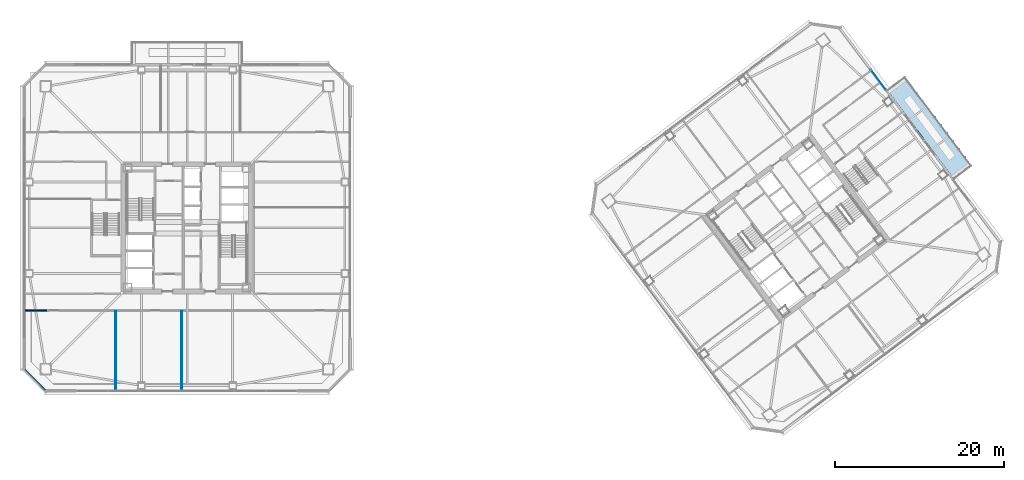
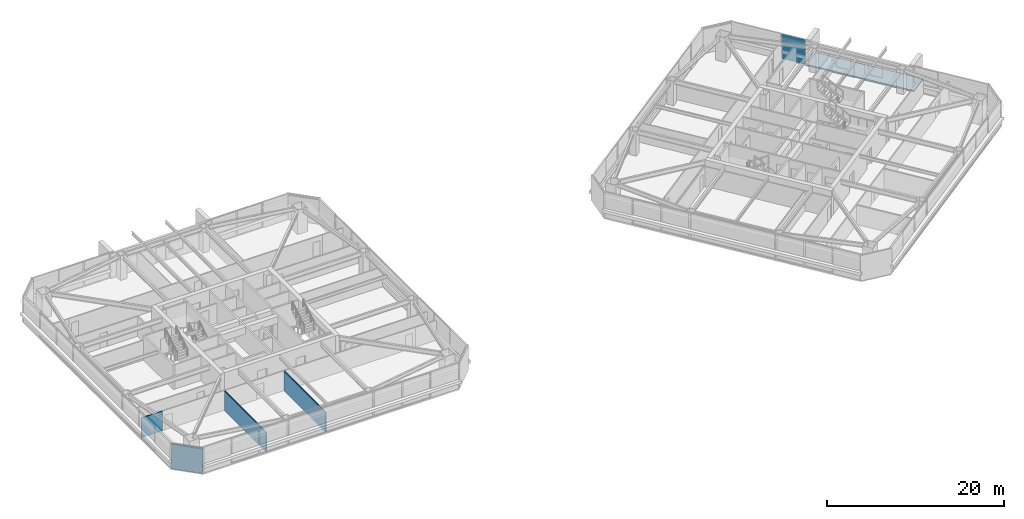
# One storey, part 33 of 44: 4 walls, 1 plate, 1 slab, 1 element without a shape of its own.
"""IFC4 building model written with IfcOpenShell, lengths in metres."""

from ifc_helpers import new_model, si_unit, direction, frame, frame_2d, origin, origin_2d, place, context, subcontext, project, spatial, polyline, rectangle, outline, extrude, material, layer, layer_set, type_object, element, aggregate, save


model = new_model("IFC4")

# Units and contexts
model_context = context("Model", 3, precision=1e-05, world=origin(), true_north=direction((0.0, 1.0)))
body_context = subcontext(model_context, "Body", "Model", "MODEL_VIEW")
ifc_project = project(units=[si_unit("LENGTHUNIT", "METRE"), si_unit("AREAUNIT", "SQUARE_METRE"), si_unit("VOLUMEUNIT", "CUBIC_METRE"), si_unit("PLANEANGLEUNIT", "RADIAN"), si_unit("MASSUNIT", "GRAM", prefix="KILO")], contexts=[model_context])

# Site, building, storey
site_placement = place(None, origin())
site = spatial("IfcSite", under=ifc_project, at=site_placement, CompositionType="ELEMENT")
building_placement = place(site_placement, origin())
building = spatial("IfcBuilding", under=site, at=building_placement, Name="Tashvorn Skyway Center", CompositionType="ELEMENT")
storey_placement = place(building_placement, frame((0.0, 0.0, 149.89990234375)))
storey = spatial("IfcBuildingStorey", under=building, at=storey_placement, Name="L40", CompositionType="ELEMENT", Elevation=149.89990234375)

# Curtain wall, plate
ifc_material_1 = material(Name="Thermally broken bronze-anodized aluminium 6063-T6", Category="aluminium")
curtain_wall_type = type_object("IfcCurtainWallType", Name="CW-CW-Z3", PredefinedType="NOTDEFINED", material=ifc_material_1)
curtain_wall_placement = place(storey_placement, origin())
curtain_wall = element("IfcCurtainWall", 1, at=curtain_wall_placement, inside=storey, type_object=curtain_wall_type, Name="Tower 2 L40 East Curtain Wall L Glazing Group 1", PredefinedType="NOTDEFINED")
ifc_material_2 = material(Name="Low-E solar-control double insulating safety glass", Category="glass")
ifc_layer_1 = layer(ifc_material_2, 0.0400390625)
ifc_layer_set_1 = layer_set([ifc_layer_1], Name="Low-E solar-control double insulating safety glass")
plate_type = type_object("IfcPlateType", Name="CWP-CW-Z3", PredefinedType="CURTAIN_PANEL", material=ifc_layer_set_1)
plate_placement = place(storey_placement, frame((123.736083984375, 49.4853515625, 0.0751953125), z_axis=(0.0, 0.0, 1.0), x_axis=(0.599994827616, -0.800003879262, 0.0)))
plate = element("IfcPlate", 2, at=plate_placement, type_object=plate_type, Name="CW-Z3 panel 1.1", PredefinedType="CURTAIN_PANEL", context=body_context, shape_type="SweptSolid", body=[
    extrude(rectangle(XDim=2.943359375, YDim=0.0400390625, at=origin_2d()), origin(), (0.0, 0.0, 1.0), 3.39990234375),
])
aggregate(curtain_wall, [plate])

# Slab
ifc_material_3 = material(Name="Concrete C40/50", Category="concrete")
ifc_layer_2 = layer(ifc_material_3, 0.179931640625)
ifc_layer_set_2 = layer_set([ifc_layer_2], Name="Concrete C40/50")
slab_type = type_object("IfcSlabType", Name="SLAB-TERR-200", PredefinedType="FLOOR", material=ifc_layer_set_2)
slab_placement = place(storey_placement, frame((0.0, 0.0, -0.179931640625)))
element("IfcSlab", 3, at=slab_placement, inside=storey, type_object=slab_type, Name="Tower 2 L40 Sky Garden Slab", PredefinedType="FLOOR", context=body_context, shape_type="SweptSolid", body=[
    extrude(outline(polyline([(132.672119140625, 37.75390625), (134.760009765625, 39.320068359375), (126.840087890625, 49.8798828125), (124.751953125, 48.31396484375), (132.672119140625, 37.75390625)])), origin(), (0.0, 0.0, 1.0), 0.179931640625),
])

# Walls
ifc_material_4 = material(Name="Precast concrete C40/50", Category="concrete")
ifc_layer_3 = layer(ifc_material_4, 0.280029296875)
ifc_layer_set_3 = layer_set([ifc_layer_3], Name="Precast concrete C40/50")
wall_type_1 = type_object("IfcWallType", Name="WALL-EXT-280", PredefinedType="SOLIDWALL", material=ifc_layer_set_3)
wall_1_placement = place(storey_placement, frame((25.300048828125, 12.699951171875, 0.0), z_axis=(0.0, 0.0, 1.0), x_axis=(-0.707106781187, 0.707106781187, 0.0)))
element("IfcWall", 4, at=wall_1_placement, inside=storey, type_object=wall_type_1, Name="Tower 1 L40 SW Precast Chamfer Wall", PredefinedType="SOLIDWALL", context=body_context, shape_type="SweptSolid", body=[
    extrude(rectangle(XDim=3.677001953125, YDim=0.280029296875, at=frame_2d((1.83837890625, 0.0))), origin(), (0.0, 0.0, 1.0), 3.3701171875),
])
ifc_material_5 = material(Name="Gypsum board on cold-formed steel stud framing", Category="steel")
ifc_layer_4 = layer(ifc_material_5, 0.110107421875)
ifc_layer_set_4 = layer_set([ifc_layer_4], Name="Gypsum board on cold-formed steel stud framing")
wall_type_2 = type_object("IfcWallType", Name="WALL-PART-110", PredefinedType="PARTITIONING", material=ifc_layer_set_4)
for number, where, z_axis, x_axis, name in (
    (5, (33.60009765625, 12.719970703125, 0.0), (0.0, 0.0, 1.0), (0.0, 1.0, 0.0), "Tower 1 L40 South Suite Partition 1"),
    (6, (41.39990234375, 12.719970703125, 0.0), (0.0, 0.0, 1.0), (0.0, 1.0, 0.0), "Tower 1 L40 South Suite Partition 2"),
):
    element("IfcWall", number, at=place(storey_placement, frame(where, z_axis=z_axis, x_axis=x_axis)), inside=storey, type_object=wall_type_2, Name=name, PredefinedType="PARTITIONING", context=body_context, shape_type="SweptSolid", body=[
        extrude(rectangle(XDim=9.429931640625, YDim=0.110107421875, at=frame_2d((4.71484375, 0.0))), origin(), (0.0, 0.0, 1.0), 2.72314453125),
    ])
ifc_layer_5 = layer(ifc_material_5, 0.135009765625)
ifc_layer_set_5 = layer_set([ifc_layer_5], Name="Gypsum board on cold-formed steel stud framing")
wall_type_3 = type_object("IfcWallType", Name="WALL-PART-135", PredefinedType="PARTITIONING", material=ifc_layer_set_5)
wall_2_placement = place(storey_placement, frame((22.719970703125, 22.22998046875, 0.0), z_axis=(0.0, 0.0, 1.0), x_axis=(1.0, 0.0, 0.0)))
element("IfcWall", 7, at=wall_2_placement, inside=storey, type_object=wall_type_3, Name="Tower 1 L40 South-West Suite North Wall", PredefinedType="PARTITIONING", context=body_context, shape_type="SweptSolid", body=[
    extrude(rectangle(XDim=2.72998046875, YDim=0.135009765625, at=frame_2d((1.364990234375, 0.0))), origin(), (0.0, 0.0, 1.0), 2.72314453125),
])

save(model, "model.ifc")
